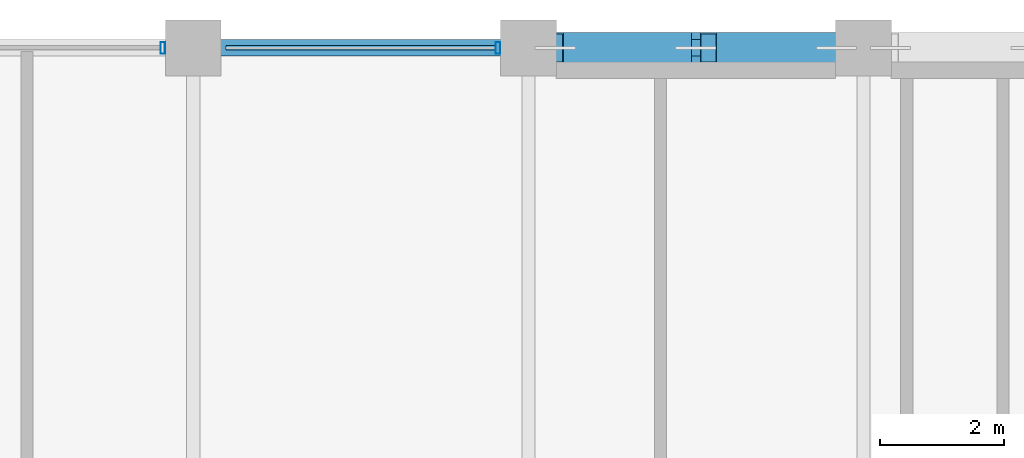
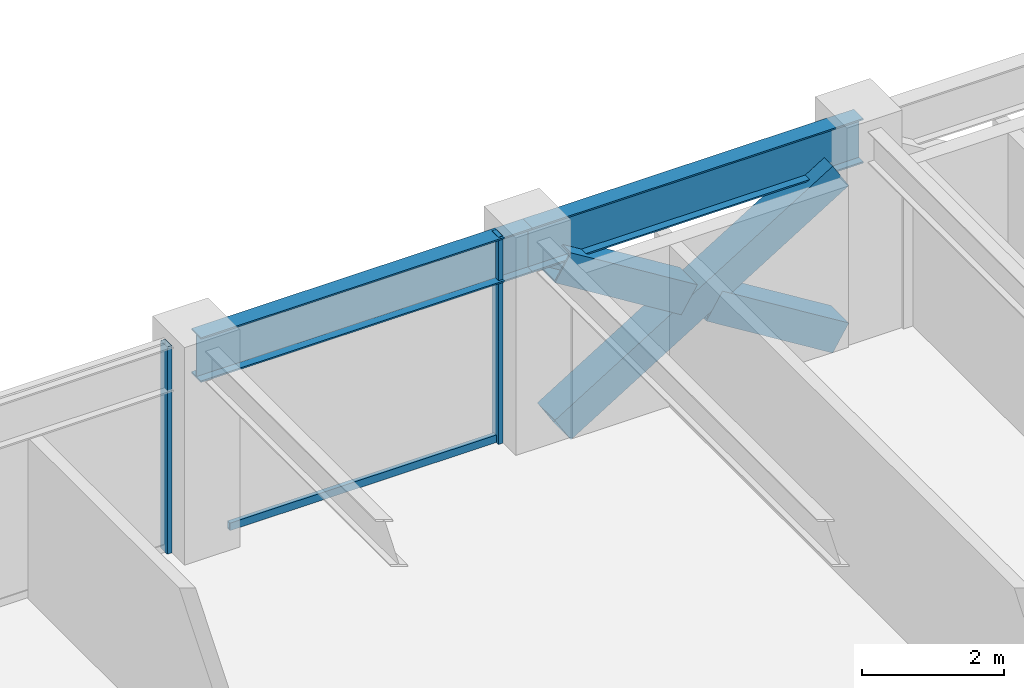
# One storey, part 17 of 28: 6 members, 2 beams, 1 element without a shape of its own.
"""IFC4 building model written with IfcOpenShell, lengths in metres."""

from ifc_helpers import new_model, si_unit, direction, frame, origin, origin_2d, place, context, subcontext, project, spatial, hollow_rectangle, i_section, extrude, material, layer, layer_set, material_profile, profile_set, type_object, element, aggregate, save


model = new_model("IFC4")

# Units and contexts
model_context = context("Model", 3, precision=1e-05, world=origin(), true_north=direction((0.0, 1.0)))
body_context = subcontext(model_context, "Body", "Model", "MODEL_VIEW")
ifc_project = project(units=[si_unit("LENGTHUNIT", "METRE"), si_unit("AREAUNIT", "SQUARE_METRE"), si_unit("VOLUMEUNIT", "CUBIC_METRE"), si_unit("PLANEANGLEUNIT", "RADIAN"), si_unit("MASSUNIT", "GRAM", prefix="KILO")], contexts=[model_context])

# Site, building, storey
site_placement = place(None, origin())
site = spatial("IfcSite", under=ifc_project, at=site_placement, CompositionType="ELEMENT")
building_placement = place(site_placement, origin())
building = spatial("IfcBuilding", under=site, at=building_placement, Name="Surkhivell Harbour Commons", CompositionType="ELEMENT")
storey_placement = place(building_placement, frame((0.0, 0.0, 182.25)))
storey = spatial("IfcBuildingStorey", under=building, at=storey_placement, Name="L47", CompositionType="ELEMENT", Elevation=182.25)

# Beams
ifc_material_1 = material(Name="Steel S355", Category="steel")
ifc_material_profile_1 = material_profile(ifc_material_1, i_section(OverallWidth=0.26806640625, OverallDepth=0.77001953125, WebThickness=0.015625, FlangeThickness=0.025390625, at=origin_2d()), Name="UB762x267x197")
ifc_profile_set_1 = profile_set([ifc_material_profile_1], Name="Steel S355")
beam_type = type_object("IfcBeamType", Name="BM-SPN-762", PredefinedType="SPANDREL", material=ifc_profile_set_1)
beam_1_placement = place(storey_placement, frame((-10.800048828125, 25.89990234375, 3.18505859375), z_axis=(1.0, 0.0, 0.0), x_axis=(0.0, 1.0, 0.0)))
element("IfcBeam", 1, at=beam_1_placement, inside=storey, type_object=beam_type, Name="L47 Tube Spandrel (-10.8,25.9)", PredefinedType="SPANDREL", context=body_context, shape_type="SweptSolid", body=[
    extrude(i_section(OverallWidth=0.26806640625, OverallDepth=0.77001953125, WebThickness=0.015625, FlangeThickness=0.025390625, at=origin_2d()), origin(), (0.0, 0.0, 1.0), 5.400146484375),
])
beam_2_placement = place(storey_placement, frame((-5.39990234375, 25.89990234375, 3.18505859375), z_axis=(1.0, 0.0, 0.0), x_axis=(0.0, 1.0, 0.0)))
element("IfcBeam", 2, at=beam_2_placement, inside=storey, type_object=beam_type, Name="L47 Tube Spandrel (-5.4,25.9)", PredefinedType="SPANDREL", context=body_context, shape_type="SweptSolid", body=[
    extrude(i_section(OverallWidth=0.26806640625, OverallDepth=0.77001953125, WebThickness=0.015625, FlangeThickness=0.025390625, at=origin_2d()), origin(), (0.0, 0.0, 1.0), 5.39990234375),
])

# Curtain wall, members
ifc_material_2 = material(Name="Anodised pale-metal aluminium and insulated glazing", Category="aluminium")
ifc_layer = layer(ifc_material_2, 0.18994140625)
ifc_layer_set = layer_set([ifc_layer], Name="Anodised pale-metal aluminium and insulated glazing")
curtain_wall_type = type_object("IfcCurtainWallType", Name="CW-SYS-Z3", PredefinedType="NOTDEFINED", material=ifc_layer_set)
curtain_wall_placement = place(storey_placement, origin())
curtain_wall = element("IfcCurtainWall", 3, at=curtain_wall_placement, inside=storey, type_object=curtain_wall_type, Name="L47 Curtain Wall CW-L47-E07S2", PredefinedType="NOTDEFINED")
ifc_material_3 = material(Name="Anodised pale-metal aluminium alloy 6063-T6", Category="aluminium")
ifc_material_profile_2 = material_profile(ifc_material_3, hollow_rectangle(XDim=0.074951171875, YDim=0.18994140625, WallThickness=0.00390625, at=origin_2d()), Name="ALU-MULL-75x190")
ifc_profile_set_2 = profile_set([ifc_material_profile_2], Name="Anodised pale-metal aluminium alloy 6063-T6")
member_type_1 = type_object("IfcMemberType", Name="CWM-190", PredefinedType="MULLION", material=ifc_profile_set_2)
member_1_placement = place(storey_placement, frame((-5.889404296875, 25.89990234375, 0.0), z_axis=(0.0, 0.0, 1.0), x_axis=(-1.0, 0.0, 0.0)))
member_1 = element("IfcMember", 4, at=member_1_placement, type_object=member_type_1, Name="CW-Z3 mullion 1", PredefinedType="MULLION", context=body_context, shape_type="SweptSolid", body=[
    extrude(hollow_rectangle(XDim=0.074951171875, YDim=0.18994140625, WallThickness=0.00390625, at=origin_2d()), origin(), (0.0, 0.0, 1.0), 3.570068359375),
])
member_2_placement = place(storey_placement, frame((-11.28955078125, 25.89990234375, 0.0), z_axis=(0.0, 0.0, 1.0), x_axis=(-1.0, 0.0, 0.0)))
member_2 = element("IfcMember", 5, at=member_2_placement, type_object=member_type_1, Name="CW-Z3 mullion 2", PredefinedType="MULLION", context=body_context, shape_type="SweptSolid", body=[
    extrude(hollow_rectangle(XDim=0.074951171875, YDim=0.18994140625, WallThickness=0.00390625, at=origin_2d()), origin(), (0.0, 0.0, 1.0), 3.570068359375),
])
ifc_material_4 = material(Name="Champagne anodised aluminium alloy 6063-T6", Category="aluminium")
ifc_material_profile_3 = material_profile(ifc_material_4, hollow_rectangle(XDim=0.070068359375, YDim=0.1298828125, WallThickness=0.00341796875, at=origin_2d()), Name="ALU-TRAN-70x130")
ifc_profile_set_3 = profile_set([ifc_material_profile_3], Name="Champagne anodised aluminium alloy 6063-T6")
member_type_2 = type_object("IfcMemberType", Name="CWT-130", PredefinedType="USERDEFINED", material=ifc_profile_set_3)
member_3_placement = place(storey_placement, frame((-5.927001953125, 25.89990234375, 0.06494140625), z_axis=(-1.0, 0.0, 0.0), x_axis=(0.0, -1.0, 0.0)))
member_3 = element("IfcMember", 6, at=member_3_placement, type_object=member_type_2, Name="CW-Z3 transom 1.1", ObjectType="TRANSOM", PredefinedType="USERDEFINED", context=body_context, shape_type="SweptSolid", body=[
    extrude(hollow_rectangle(XDim=0.070068359375, YDim=0.1298828125, WallThickness=0.00341796875, at=origin_2d()), origin(), (0.0, 0.0, 1.0), 4.345947265625),
])
aggregate(curtain_wall, [member_1, member_3, member_2])

# Members
ifc_material_5 = material(Name="Steel S460", Category="steel")
ifc_material_profile_4 = material_profile(ifc_material_5, hollow_rectangle(XDim=0.5, YDim=0.5, WallThickness=0.02490234375, at=origin_2d()), Name="SHS500x500x25")
ifc_profile_set_4 = profile_set([ifc_material_profile_4], Name="Steel S460")
member_type_3 = type_object("IfcMemberType", Name="MEM-BRC-SHS500", PredefinedType="BRACE", material=ifc_profile_set_4)
member_4_placement = place(storey_placement, frame((-4.965087890625, 25.89990234375, 0.008056640625), z_axis=(0.850971032488, 0.0, 0.525212625387), x_axis=(0.0, 1.0, 0.0)))
element("IfcMember", 7, at=member_4_placement, inside=storey, type_object=member_type_3, Name="L47 Perimeter Mega-Brace MB- 01", PredefinedType="BRACE", context=body_context, shape_type="SweptSolid", body=[
    extrude(hollow_rectangle(XDim=0.5, YDim=0.5, WallThickness=0.02490234375, at=origin_2d()), origin(), (0.0, 0.0, 1.0), 5.323486328125),
])
for number, where, z_axis, x_axis, name in (
    (8, (-0.43505859375, 25.89990234375, 0.008056640625), (-0.8510034189, 0.0, 0.525160147974), (0.0, -1.0, 0.0), "L47 Perimeter Mega-Brace MB- 02"),
    (9, (-2.904296875, 25.89990234375, 1.531982421875), (-0.850958361341, 0.0, 0.525233155146), (0.0, -1.0, 0.0), "L47 Perimeter Mega-Brace MB- 03"),
):
    element("IfcMember", number, at=place(storey_placement, frame(where, z_axis=z_axis, x_axis=x_axis)), inside=storey, type_object=member_type_3, Name=name, PredefinedType="BRACE", context=body_context, shape_type="SweptSolid", body=[
        extrude(hollow_rectangle(XDim=0.5, YDim=0.5, WallThickness=0.02490234375, at=origin_2d()), origin(), (0.0, 0.0, 1.0), 2.421630859375),
    ])

save(model, "model.ifc")
